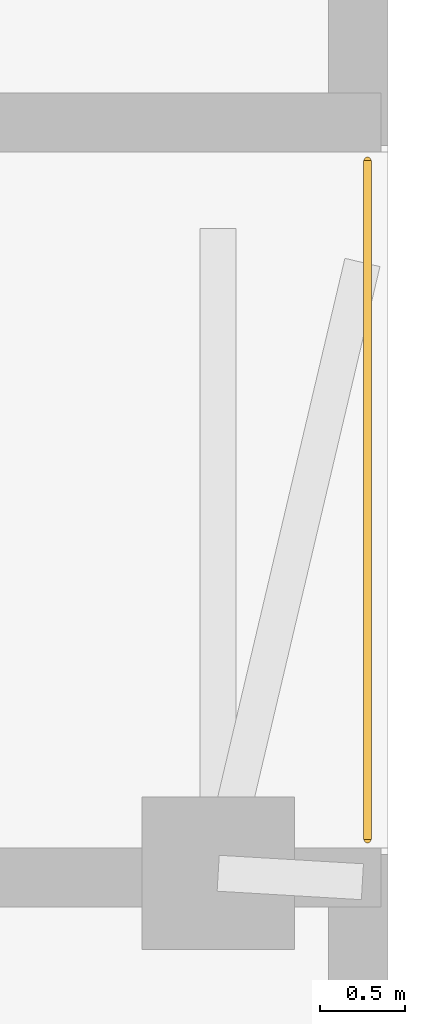
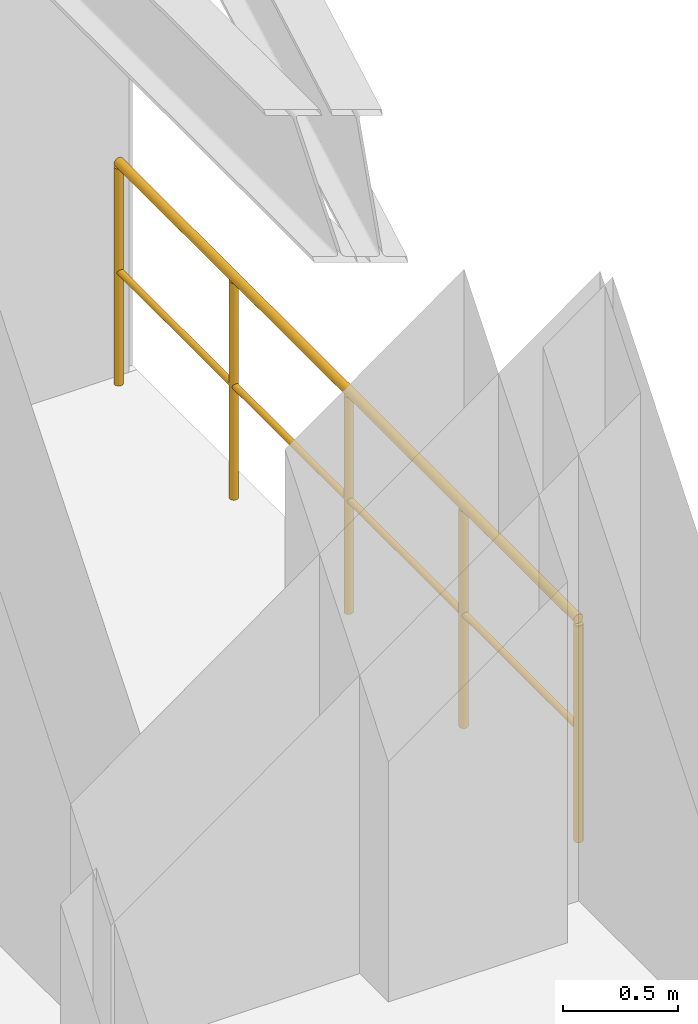
# One storey, part 10 of 10: 1 railing.
"""IFC4 building model written with IfcOpenShell, lengths in metres."""

from ifc_helpers import new_model, si_unit, direction, frame, origin, origin_2d, place, context, subcontext, project, spatial, circle, extrude, material, type_object, element, save


model = new_model("IFC4")

# Units and contexts
model_context = context("Model", 3, precision=1e-05, world=origin(), true_north=direction((0.0, 1.0)))
body_context = subcontext(model_context, "Body", "Model", "MODEL_VIEW")
ifc_project = project(units=[si_unit("LENGTHUNIT", "METRE"), si_unit("AREAUNIT", "SQUARE_METRE"), si_unit("VOLUMEUNIT", "CUBIC_METRE"), si_unit("PLANEANGLEUNIT", "RADIAN"), si_unit("MASSUNIT", "GRAM", prefix="KILO")], contexts=[model_context])

# Site, building, storey
site_placement = place(None, origin())
site = spatial("IfcSite", under=ifc_project, at=site_placement, CompositionType="ELEMENT")
building_placement = place(site_placement, origin())
building = spatial("IfcBuilding", under=site, at=building_placement, Name="Ventersveld Concourse Tower", CompositionType="ELEMENT")
storey_placement = place(building_placement, frame((0.0, 0.0, 96.449951171875)))
storey = spatial("IfcBuildingStorey", under=building, at=storey_placement, Name="L23", CompositionType="ELEMENT", Elevation=96.449951171875)

# Railing
ifc_material = material(Name="Brushed stainless steel 316", Category="steel")
railing_type = type_object("IfcRailingType", Name="GD-TER-120", PredefinedType="GUARDRAIL", material=ifc_material)
railing_placement = place(storey_placement, frame((54.780029296875, 23.800048828125, 0.0)))
element("IfcRailing", 1, at=railing_placement, inside=storey, type_object=railing_type, Name="L23 Outdoor Terrace Guardrail NOTCH-E", PredefinedType="GUARDRAIL", context=body_context, shape_type="SweptSolid", body=[
    extrude(circle(Radius=0.02392578125, at=origin_2d()), frame((0.0, 0.0, 1.17578125), z_axis=(0.0, 1.0, 0.0), x_axis=(-1.0, 0.0, 0.0)), (0.0, 0.0, 1.0), 4.0),
    extrude(circle(Radius=0.01611328125, at=origin_2d()), frame((0.0, 0.0, 0.60009765625), z_axis=(0.0, 1.0, 0.0), x_axis=(-1.0, 0.0, 0.0)), (0.0, 0.0, 1.0), 4.0),
    extrude(circle(Radius=0.02099609375, at=origin_2d()), origin(), (0.0, 0.0, 1.0), 1.15185546875),
    extrude(circle(Radius=0.02099609375, at=origin_2d()), frame((0.0, 1.0, 0.0)), (0.0, 0.0, 1.0), 1.15185546875),
    extrude(circle(Radius=0.02099609375, at=origin_2d()), frame((0.0, 2.0, 0.0)), (0.0, 0.0, 1.0), 1.15185546875),
    extrude(circle(Radius=0.02099609375, at=origin_2d()), frame((0.0, 3.0, 0.0)), (0.0, 0.0, 1.0), 1.15185546875),
    extrude(circle(Radius=0.02099609375, at=origin_2d()), frame((0.0, 4.0, 0.0)), (0.0, 0.0, 1.0), 1.15185546875),
])

save(model, "model.ifc")
